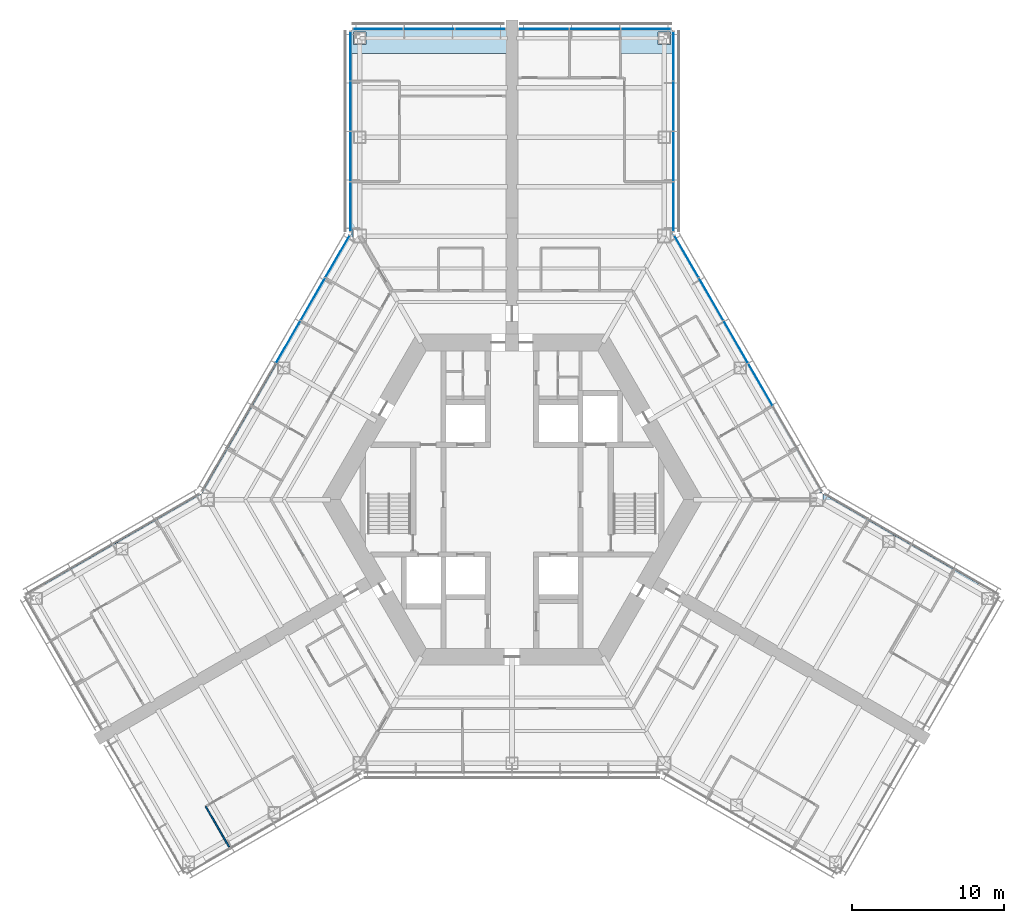
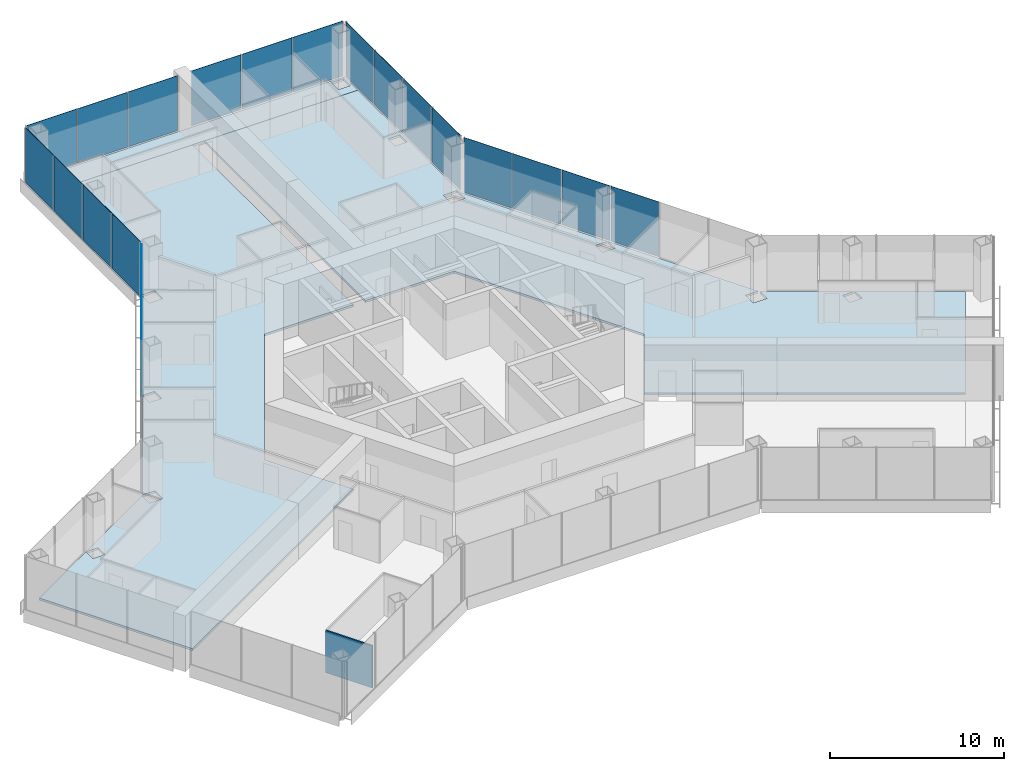
# One storey, part 11 of 19: 21 plates, 3 slabs, 1 wall, 6 elements without a shape of their own.
"""IFC4 building model written with IfcOpenShell, lengths in metres."""

from ifc_helpers import new_model, si_unit, direction, frame, frame_2d, origin, origin_2d, place, context, subcontext, project, spatial, polyline, rectangle, outline, extrude, material, layer, layer_set, type_object, element, aggregate, save


model = new_model("IFC4")

# Units and contexts
model_context = context("Model", 3, precision=1e-05, world=origin(), true_north=direction((0.0, 1.0)))
body_context = subcontext(model_context, "Body", "Model", "MODEL_VIEW")
ifc_project = project(units=[si_unit("LENGTHUNIT", "METRE"), si_unit("AREAUNIT", "SQUARE_METRE"), si_unit("VOLUMEUNIT", "CUBIC_METRE"), si_unit("PLANEANGLEUNIT", "RADIAN"), si_unit("MASSUNIT", "GRAM", prefix="KILO")], contexts=[model_context])

# Site, building, storey
site_placement = place(None, origin())
site = spatial("IfcSite", under=ifc_project, at=site_placement, CompositionType="ELEMENT")
building_placement = place(site_placement, origin())
building = spatial("IfcBuilding", under=site, at=building_placement, Name="Kasaneha Research Tower", CompositionType="ELEMENT")
storey_placement = place(building_placement, frame((0.0, 0.0, 100.199951171875)))
storey = spatial("IfcBuildingStorey", under=building, at=storey_placement, Name="L25", CompositionType="ELEMENT", Elevation=100.199951171875)

# Curtain wall, plates
ifc_material_1 = material(Name="Glass and aluminium", Category="aluminium")
curtain_wall_type = type_object("IfcCurtainWallType", Name="Low-rise office curtain wall", PredefinedType="USERDEFINED", material=ifc_material_1)
curtain_wall_1_placement = place(storey_placement, origin())
curtain_wall_1 = element("IfcCurtainWall", 1, at=curtain_wall_1_placement, inside=storey, type_object=curtain_wall_type, Name="CW-O1 L25 run 07a", ObjectType="UNITISED CURTAIN WALL", PredefinedType="USERDEFINED")
ifc_material_2 = material(Name="Laminated double glazing", Category="glass")
ifc_layer_1 = layer(ifc_material_2, 0.028076171875)
ifc_layer_set_1 = layer_set([ifc_layer_1], Name="CW-O1 glazed panel")
plate_type = type_object("IfcPlateType", Name="CW-O1 glazed panel", PredefinedType="CURTAIN_PANEL", material=ifc_layer_set_1)
plate_1_placement = place(storey_placement, frame((16.331298828125, 7.554443359375, 0.06005859375), z_axis=(0.0, 0.0, 1.0), x_axis=(-0.49999996188, 0.866025425793, 0.0)))
plate_1 = element("IfcPlate", 2, at=plate_1_placement, type_object=plate_type, Name="CW-O1 panel 3", PredefinedType="CURTAIN_PANEL", context=body_context, shape_type="SweptSolid", body=[
    extrude(rectangle(XDim=3.1865234375, YDim=0.028076171875, at=origin_2d()), origin(), (0.0, 0.0, 1.0), 3.840087890625),
])
plate_2_placement = place(storey_placement, frame((14.7080078125, 10.365966796875, 0.06005859375), z_axis=(0.0, 0.0, 1.0), x_axis=(-0.49999996188, 0.866025425793, 0.0)))
plate_2 = element("IfcPlate", 3, at=plate_2_placement, type_object=plate_type, Name="CW-O1 panel 4", PredefinedType="CURTAIN_PANEL", context=body_context, shape_type="SweptSolid", body=[
    extrude(rectangle(XDim=3.1865234375, YDim=0.028076171875, at=origin_2d()), origin(), (0.0, 0.0, 1.0), 3.840087890625),
])
plate_3_placement = place(storey_placement, frame((13.084716796875, 13.177490234375, 0.06005859375), z_axis=(0.0, 0.0, 1.0), x_axis=(-0.49999996188, 0.866025425793, 0.0)))
plate_3 = element("IfcPlate", 4, at=plate_3_placement, type_object=plate_type, Name="CW-O1 panel 5", PredefinedType="CURTAIN_PANEL", context=body_context, shape_type="SweptSolid", body=[
    extrude(rectangle(XDim=3.1865234375, YDim=0.028076171875, at=origin_2d()), origin(), (0.0, 0.0, 1.0), 3.840087890625),
])
plate_4_placement = place(storey_placement, frame((11.468994140625, 15.975830078125, 0.06005859375), z_axis=(0.0, 0.0, 1.0), x_axis=(-0.49999996188, 0.866025425793, 0.0)))
plate_4 = element("IfcPlate", 5, at=plate_4_placement, type_object=plate_type, Name="CW-O1 panel 6", PredefinedType="CURTAIN_PANEL", context=body_context, shape_type="SweptSolid", body=[
    extrude(rectangle(XDim=3.156494140625, YDim=0.028076171875, at=origin_2d()), origin(), (0.0, 0.0, 1.0), 3.840087890625),
])
aggregate(curtain_wall_1, [plate_1, plate_2, plate_3, plate_4])

curtain_wall_2_placement = place(storey_placement, origin())
curtain_wall_2 = element("IfcCurtainWall", 6, at=curtain_wall_2_placement, inside=storey, type_object=curtain_wall_type, Name="CW-O1 L25 run 08a", ObjectType="UNITISED CURTAIN WALL", PredefinedType="USERDEFINED")
plate_5_placement = place(storey_placement, frame((10.60009765625, 19.251220703125, 0.06005859375), z_axis=(0.0, 0.0, 1.0), x_axis=(0.0, 1.0, 0.0)))
plate_5 = element("IfcPlate", 7, at=plate_5_placement, type_object=plate_type, Name="CW-O1 panel 1", PredefinedType="CURTAIN_PANEL", context=body_context, shape_type="SweptSolid", body=[
    extrude(rectangle(XDim=3.2197265625, YDim=0.028076171875, at=origin_2d()), origin(), (0.0, 0.0, 1.0), 3.840087890625),
])
plate_6_placement = place(storey_placement, frame((10.60009765625, 22.5458984375, 0.06005859375), z_axis=(0.0, 0.0, 1.0), x_axis=(0.0, 1.0, 0.0)))
plate_6 = element("IfcPlate", 8, at=plate_6_placement, type_object=plate_type, Name="CW-O1 panel 2", PredefinedType="CURTAIN_PANEL", context=body_context, shape_type="SweptSolid", body=[
    extrude(rectangle(XDim=3.249755859375, YDim=0.028076171875, at=origin_2d()), origin(), (0.0, 0.0, 1.0), 3.840087890625),
])
plate_7_placement = place(storey_placement, frame((10.60009765625, 25.855712890625, 0.06005859375), z_axis=(0.0, 0.0, 1.0), x_axis=(0.0, 1.0, 0.0)))
plate_7 = element("IfcPlate", 9, at=plate_7_placement, type_object=plate_type, Name="CW-O1 panel 3", PredefinedType="CURTAIN_PANEL", context=body_context, shape_type="SweptSolid", body=[
    extrude(rectangle(XDim=3.249755859375, YDim=0.028076171875, at=origin_2d()), origin(), (0.0, 0.0, 1.0), 3.840087890625),
])
plate_8_placement = place(storey_placement, frame((10.60009765625, 29.150634765625, 0.06005859375), z_axis=(0.0, 0.0, 1.0), x_axis=(0.0, 1.0, 0.0)))
plate_8 = element("IfcPlate", 10, at=plate_8_placement, type_object=plate_type, Name="CW-O1 panel 4", PredefinedType="CURTAIN_PANEL", context=body_context, shape_type="SweptSolid", body=[
    extrude(rectangle(XDim=3.2197265625, YDim=0.028076171875, at=origin_2d()), origin(), (0.0, 0.0, 1.0), 3.840087890625),
])
aggregate(curtain_wall_2, [plate_5, plate_6, plate_7, plate_8])

curtain_wall_3_placement = place(storey_placement, origin())
curtain_wall_3 = element("IfcCurtainWall", 11, at=curtain_wall_3_placement, inside=storey, type_object=curtain_wall_type, Name="CW-O1 L25 run 09a", ObjectType="UNITISED CURTAIN WALL", PredefinedType="USERDEFINED")
plate_9_placement = place(storey_placement, frame((8.8017578125, 30.92041015625, 0.06005859375), z_axis=(0.0, 0.0, 1.0), x_axis=(-1.0, 0.0, 0.0)))
plate_9 = element("IfcPlate", 12, at=plate_9_placement, type_object=plate_type, Name="CW-O1 panel 1", PredefinedType="CURTAIN_PANEL", context=body_context, shape_type="SweptSolid", body=[
    extrude(rectangle(XDim=3.276611328125, YDim=0.028076171875, at=origin_2d()), origin(), (0.0, 0.0, 1.0), 3.840087890625),
])
plate_10_placement = place(storey_placement, frame((5.449951171875, 30.92041015625, 0.06005859375), z_axis=(0.0, 0.0, 1.0), x_axis=(-1.0, 0.0, 0.0)))
plate_10 = element("IfcPlate", 13, at=plate_10_placement, type_object=plate_type, Name="CW-O1 panel 2", PredefinedType="CURTAIN_PANEL", context=body_context, shape_type="SweptSolid", body=[
    extrude(rectangle(XDim=3.306640625, YDim=0.028076171875, at=origin_2d()), origin(), (0.0, 0.0, 1.0), 3.840087890625),
])
plate_11_placement = place(storey_placement, frame((2.098388671875, 30.92041015625, 0.06005859375), z_axis=(0.0, 0.0, 1.0), x_axis=(-1.0, 0.0, 0.0)))
plate_11 = element("IfcPlate", 14, at=plate_11_placement, type_object=plate_type, Name="CW-O1 panel 3", PredefinedType="CURTAIN_PANEL", context=body_context, shape_type="SweptSolid", body=[
    extrude(rectangle(XDim=3.276611328125, YDim=0.028076171875, at=origin_2d()), origin(), (0.0, 0.0, 1.0), 3.840087890625),
])
aggregate(curtain_wall_3, [plate_9, plate_10, plate_11])

curtain_wall_4_placement = place(storey_placement, origin())
curtain_wall_4 = element("IfcCurtainWall", 15, at=curtain_wall_4_placement, inside=storey, type_object=curtain_wall_type, Name="CW-O1 L25 run 10a", ObjectType="UNITISED CURTAIN WALL", PredefinedType="USERDEFINED")
plate_12_placement = place(storey_placement, frame((-2.098388671875, 30.92041015625, 0.06005859375), z_axis=(0.0, 0.0, 1.0), x_axis=(-1.0, 0.0, 0.0)))
plate_12 = element("IfcPlate", 16, at=plate_12_placement, type_object=plate_type, Name="CW-O1 panel 1", PredefinedType="CURTAIN_PANEL", context=body_context, shape_type="SweptSolid", body=[
    extrude(rectangle(XDim=3.276611328125, YDim=0.028076171875, at=origin_2d()), origin(), (0.0, 0.0, 1.0), 3.840087890625),
])
plate_13_placement = place(storey_placement, frame((-5.449951171875, 30.92041015625, 0.06005859375), z_axis=(0.0, 0.0, 1.0), x_axis=(-1.0, 0.0, 0.0)))
plate_13 = element("IfcPlate", 17, at=plate_13_placement, type_object=plate_type, Name="CW-O1 panel 2", PredefinedType="CURTAIN_PANEL", context=body_context, shape_type="SweptSolid", body=[
    extrude(rectangle(XDim=3.306640625, YDim=0.028076171875, at=origin_2d()), origin(), (0.0, 0.0, 1.0), 3.840087890625),
])
plate_14_placement = place(storey_placement, frame((-8.8017578125, 30.92041015625, 0.06005859375), z_axis=(0.0, 0.0, 1.0), x_axis=(-1.0, 0.0, 0.0)))
plate_14 = element("IfcPlate", 18, at=plate_14_placement, type_object=plate_type, Name="CW-O1 panel 3", PredefinedType="CURTAIN_PANEL", context=body_context, shape_type="SweptSolid", body=[
    extrude(rectangle(XDim=3.276611328125, YDim=0.028076171875, at=origin_2d()), origin(), (0.0, 0.0, 1.0), 3.840087890625),
])
aggregate(curtain_wall_4, [plate_12, plate_13, plate_14])

curtain_wall_5_placement = place(storey_placement, origin())
curtain_wall_5 = element("IfcCurtainWall", 19, at=curtain_wall_5_placement, inside=storey, type_object=curtain_wall_type, Name="CW-O1 L25 run 11a", ObjectType="UNITISED CURTAIN WALL", PredefinedType="USERDEFINED")
plate_15_placement = place(storey_placement, frame((-10.60009765625, 29.150634765625, 0.06005859375), z_axis=(0.0, 0.0, 1.0), x_axis=(0.0, -1.0, 0.0)))
plate_15 = element("IfcPlate", 20, at=plate_15_placement, type_object=plate_type, Name="CW-O1 panel 1", PredefinedType="CURTAIN_PANEL", context=body_context, shape_type="SweptSolid", body=[
    extrude(rectangle(XDim=3.2197265625, YDim=0.028076171875, at=origin_2d()), origin(), (0.0, 0.0, 1.0), 3.840087890625),
])
plate_16_placement = place(storey_placement, frame((-10.60009765625, 25.855712890625, 0.06005859375), z_axis=(0.0, 0.0, 1.0), x_axis=(0.0, -1.0, 0.0)))
plate_16 = element("IfcPlate", 21, at=plate_16_placement, type_object=plate_type, Name="CW-O1 panel 2", PredefinedType="CURTAIN_PANEL", context=body_context, shape_type="SweptSolid", body=[
    extrude(rectangle(XDim=3.249755859375, YDim=0.028076171875, at=origin_2d()), origin(), (0.0, 0.0, 1.0), 3.840087890625),
])
plate_17_placement = place(storey_placement, frame((-10.60009765625, 22.5458984375, 0.06005859375), z_axis=(0.0, 0.0, 1.0), x_axis=(0.0, -1.0, 0.0)))
plate_17 = element("IfcPlate", 22, at=plate_17_placement, type_object=plate_type, Name="CW-O1 panel 3", PredefinedType="CURTAIN_PANEL", context=body_context, shape_type="SweptSolid", body=[
    extrude(rectangle(XDim=3.249755859375, YDim=0.028076171875, at=origin_2d()), origin(), (0.0, 0.0, 1.0), 3.840087890625),
])
plate_18_placement = place(storey_placement, frame((-10.60009765625, 19.251220703125, 0.06005859375), z_axis=(0.0, 0.0, 1.0), x_axis=(0.0, -1.0, 0.0)))
plate_18 = element("IfcPlate", 23, at=plate_18_placement, type_object=plate_type, Name="CW-O1 panel 4", PredefinedType="CURTAIN_PANEL", context=body_context, shape_type="SweptSolid", body=[
    extrude(rectangle(XDim=3.2197265625, YDim=0.028076171875, at=origin_2d()), origin(), (0.0, 0.0, 1.0), 3.840087890625),
])
aggregate(curtain_wall_5, [plate_15, plate_16, plate_17, plate_18])

curtain_wall_6_placement = place(storey_placement, origin())
curtain_wall_6 = element("IfcCurtainWall", 24, at=curtain_wall_6_placement, inside=storey, type_object=curtain_wall_type, Name="CW-O1 L25 run 12a", ObjectType="UNITISED CURTAIN WALL", PredefinedType="USERDEFINED")
plate_19_placement = place(storey_placement, frame((-11.468994140625, 15.975830078125, 0.06005859375), z_axis=(0.0, 0.0, 1.0), x_axis=(-0.49999996188, -0.866025425793, 0.0)))
plate_19 = element("IfcPlate", 25, at=plate_19_placement, type_object=plate_type, Name="CW-O1 panel 1", PredefinedType="CURTAIN_PANEL", context=body_context, shape_type="SweptSolid", body=[
    extrude(rectangle(XDim=3.156494140625, YDim=0.028076171875, at=origin_2d()), origin(), (0.0, 0.0, 1.0), 3.840087890625),
])
plate_20_placement = place(storey_placement, frame((-13.084716796875, 13.177490234375, 0.06005859375), z_axis=(0.0, 0.0, 1.0), x_axis=(-0.49999996188, -0.866025425793, 0.0)))
plate_20 = element("IfcPlate", 26, at=plate_20_placement, type_object=plate_type, Name="CW-O1 panel 2", PredefinedType="CURTAIN_PANEL", context=body_context, shape_type="SweptSolid", body=[
    extrude(rectangle(XDim=3.1865234375, YDim=0.028076171875, at=origin_2d()), origin(), (0.0, 0.0, 1.0), 3.840087890625),
])
plate_21_placement = place(storey_placement, frame((-14.7080078125, 10.365966796875, 0.06005859375), z_axis=(0.0, 0.0, 1.0), x_axis=(-0.49999996188, -0.866025425793, 0.0)))
plate_21 = element("IfcPlate", 27, at=plate_21_placement, type_object=plate_type, Name="CW-O1 panel 3", PredefinedType="CURTAIN_PANEL", context=body_context, shape_type="SweptSolid", body=[
    extrude(rectangle(XDim=3.1865234375, YDim=0.028076171875, at=origin_2d()), origin(), (0.0, 0.0, 1.0), 3.840087890625),
])
aggregate(curtain_wall_6, [plate_19, plate_20, plate_21])

# Slabs
ifc_material_3 = material(Name="Concrete Fc24", Category="concrete")
ifc_layer_2 = layer(ifc_material_3, 0.14990234375)
ifc_layer_set_2 = layer_set([ifc_layer_2], Name="Floor slab 150")
slab_type = type_object("IfcSlabType", Name="Floor slab 150", PredefinedType="FLOOR", material=ifc_layer_set_2)
slab_1_placement = place(storey_placement, frame((0.0, 0.0, -0.14990234375)))
element("IfcSlab", 28, at=slab_1_placement, inside=storey, type_object=slab_type, Name="Floor slab L25 2", PredefinedType="FLOOR", context=body_context, shape_type="SweptSolid", body=[
    extrude(outline(polyline([(-20.375244140625, 0.449951171875), (-15.40771484375, 9.053955078125), (-15.400146484375, 9.046142578125), (-15.400146484375, 8.26025390625), (-14.599853515625, 8.26025390625), (-14.599853515625, 9.060302734375), (-15.385986328125, 9.060302734375), (-15.3974609375, 9.07177734375), (-10.550048828125, 17.4677734375), (-10.550048828125, 29.310546875), (-0.39990234375, 29.310546875), (-0.39990234375, 10.875), (-6.278564453125, 10.875), (-12.557373046875, 0.0), (-9.617919921875, -5.091064453125), (-25.583740234375, -14.308837890625), (-30.65869140625, -5.518798828125), (-26.040771484375, -2.8525390625), (-26.029296875, -2.864013671875), (-26.029296875, -3.650146484375), (-25.22900390625, -3.650146484375), (-25.22900390625, -2.849853515625), (-26.01513671875, -2.849853515625), (-26.02294921875, -2.84228515625), (-20.449951171875, 0.375244140625), (-20.449951171875, -0.449951171875), (-19.550048828125, -0.449951171875), (-19.550048828125, 0.449951171875), (-20.375244140625, 0.449951171875)]), holes=[polyline([(-9.550048828125, 17.7705078125), (-10.449951171875, 17.7705078125), (-10.449951171875, 16.87060546875), (-9.550048828125, 16.87060546875), (-9.550048828125, 17.7705078125)]), polyline([(-9.60009765625, 23.42041015625), (-9.60009765625, 24.220458984375), (-10.39990234375, 24.220458984375), (-10.39990234375, 23.42041015625), (-9.60009765625, 23.42041015625)])]), origin(), (0.0, 0.0, 1.0), 0.14990234375),
])
slab_2_placement = place(storey_placement, frame((0.0, 0.0, -0.14990234375)))
element("IfcSlab", 29, at=slab_2_placement, inside=storey, type_object=slab_type, Name="Floor slab L25 3", PredefinedType="FLOOR", context=body_context, shape_type="SweptSolid", body=[
    extrude(outline(polyline([(10.550048828125, 29.310546875), (0.39990234375, 29.310546875), (0.39990234375, 29.320556640625), (-0.39990234375, 29.320556640625), (-0.39990234375, 29.310546875), (-10.550048828125, 29.310546875), (-10.550048828125, 30.87060546875), (10.550048828125, 30.87060546875), (10.550048828125, 29.310546875)]), holes=[polyline([(-9.60009765625, 30.720458984375), (-10.39990234375, 30.720458984375), (-10.39990234375, 29.92041015625), (-9.60009765625, 29.92041015625), (-9.60009765625, 30.720458984375)]), polyline([(10.39990234375, 29.92041015625), (10.39990234375, 30.720458984375), (9.60009765625, 30.720458984375), (9.60009765625, 29.92041015625), (10.39990234375, 29.92041015625)])]), origin(), (0.0, 0.0, 1.0), 0.14990234375),
])
slab_3_placement = place(storey_placement, frame((0.0, 0.0, -0.14990234375)))
element("IfcSlab", 30, at=slab_3_placement, inside=storey, type_object=slab_type, Name="Floor slab L25 5", PredefinedType="FLOOR", context=body_context, shape_type="SweptSolid", body=[
    extrude(outline(polyline([(9.617919921875, -5.091064453125), (12.557373046875, 0.0), (6.278564453125, 10.875), (0.39990234375, 10.875), (0.39990234375, 29.310546875), (10.550048828125, 29.310546875), (10.550048828125, 17.4677734375), (15.3974609375, 9.07177734375), (15.385986328125, 9.060302734375), (14.599853515625, 9.060302734375), (14.599853515625, 8.26025390625), (15.400146484375, 8.26025390625), (15.400146484375, 9.046142578125), (15.40771484375, 9.053955078125), (20.375244140625, 0.449951171875), (19.550048828125, 0.449951171875), (19.550048828125, -0.449951171875), (20.449951171875, -0.449951171875), (20.449951171875, 0.375244140625), (25.15673828125, -2.34228515625), (25.149169921875, -2.349853515625), (24.363037109375, -2.349853515625), (24.363037109375, -3.150146484375), (25.163330078125, -3.150146484375), (25.163330078125, -2.364013671875), (25.1748046875, -2.3525390625), (30.65869140625, -5.518798828125), (25.583740234375, -14.308837890625), (9.617919921875, -5.091064453125)]), holes=[polyline([(10.449951171875, 16.87060546875), (10.449951171875, 17.7705078125), (9.550048828125, 17.7705078125), (9.550048828125, 16.87060546875), (10.449951171875, 16.87060546875)]), polyline([(10.39990234375, 23.42041015625), (10.39990234375, 24.220458984375), (9.60009765625, 24.220458984375), (9.60009765625, 23.42041015625), (10.39990234375, 23.42041015625)])]), origin(), (0.0, 0.0, 1.0), 0.14990234375),
])

# Wall
ifc_material_4 = material(Name="Gypsum board on steel studs, one layer each side", Category="steel")
ifc_layer_3 = layer(ifc_material_4, 0.10009765625)
ifc_layer_set_3 = layer_set([ifc_layer_3], Name="Office partition 100")
wall_type = type_object("IfcWallType", Name="Office partition 100", PredefinedType="PARTITIONING", material=ifc_layer_set_3)
wall_placement = place(storey_placement, frame((-18.5849609375, -22.831298828125, 0.0), z_axis=(0.0, 0.0, 1.0), x_axis=(-0.499992328818, 0.866029832698, 0.0)))
element("IfcWall", 31, at=wall_placement, inside=storey, type_object=wall_type, Name="Office partition FBS08 L25", PredefinedType="PARTITIONING", context=body_context, shape_type="SweptSolid", body=[
    extrude(rectangle(XDim=3.080078125, YDim=0.10009765625, at=frame_2d((1.5400390625, 0.0))), origin(), (0.0, 0.0, 1.0), 2.949951171875),
])

save(model, "model.ifc")
